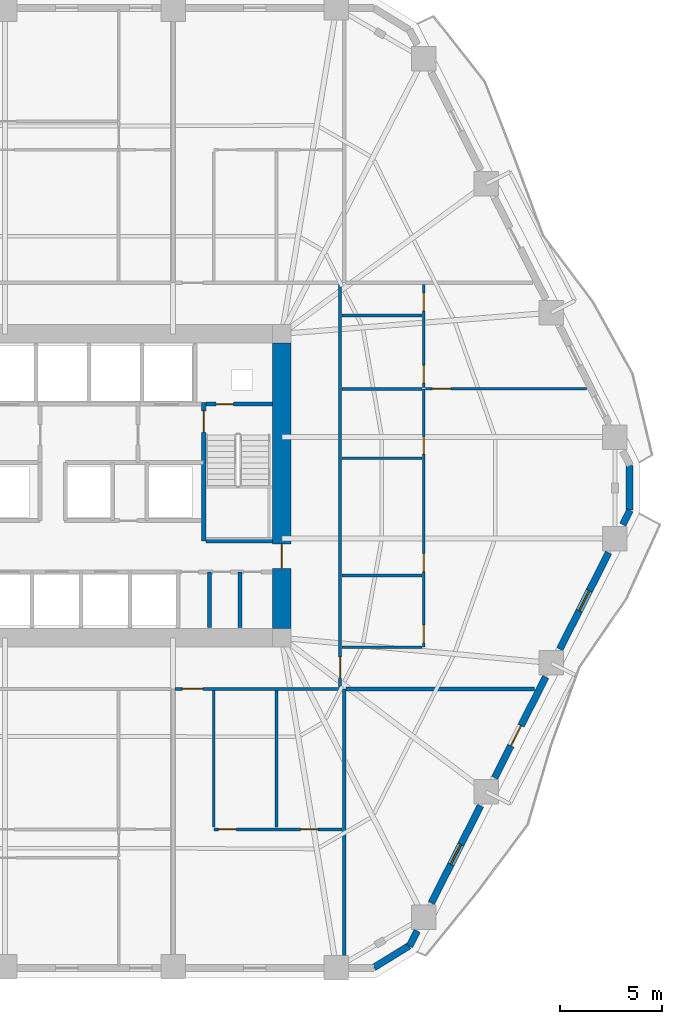
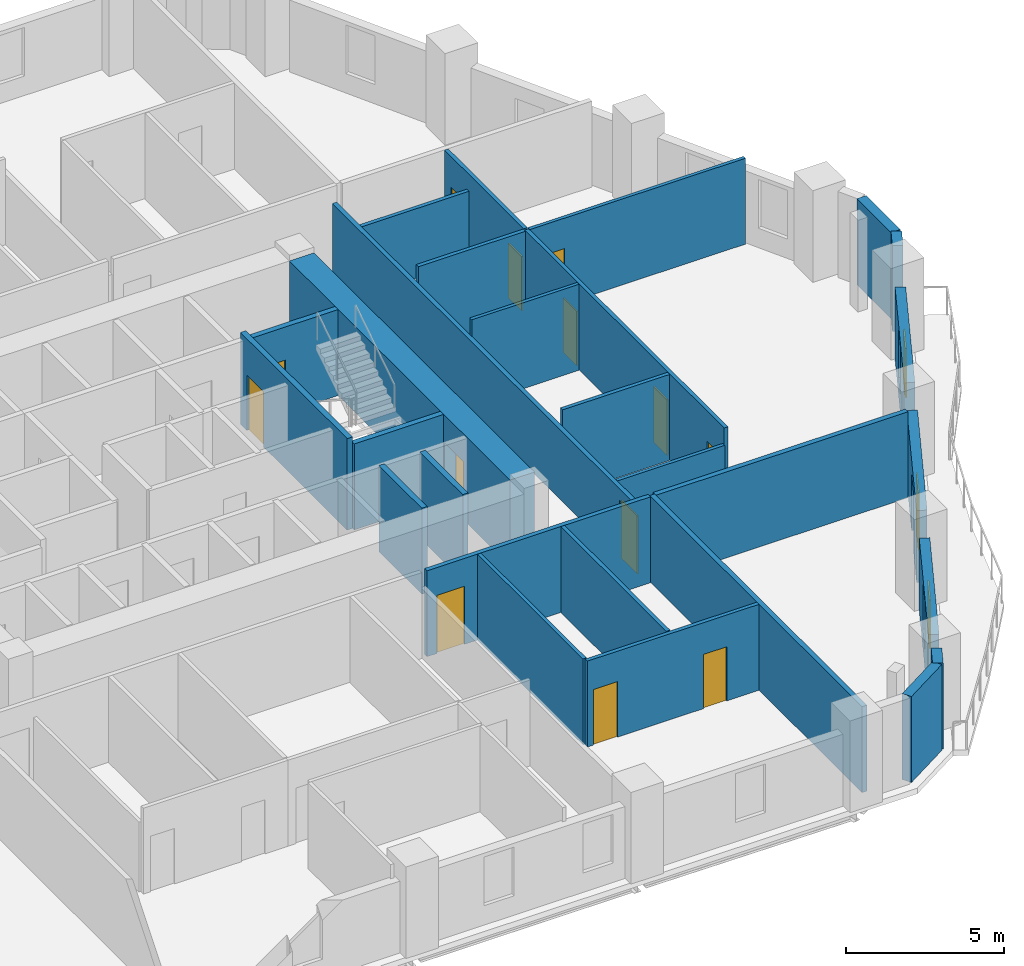
# One storey, part 6 of 11: 28 walls, 14 doors, 2 windows, 16 openings.
"""IFC4 building model written with IfcOpenShell, lengths in metres."""

from ifc_helpers import new_model, si_unit, direction, frame, frame_2d, origin, place, context, subcontext, project, spatial, rectangle, extrude, material, layer, layer_set, type_object, element, fill, save


model = new_model("IFC4")

# Units and contexts
model_context = context("Model", 3, precision=1e-05, world=origin(), true_north=direction((0.0, 1.0)))
body_context = subcontext(model_context, "Body", "Model", "MODEL_VIEW")
ifc_project = project(units=[si_unit("LENGTHUNIT", "METRE"), si_unit("AREAUNIT", "SQUARE_METRE"), si_unit("VOLUMEUNIT", "CUBIC_METRE"), si_unit("PLANEANGLEUNIT", "RADIAN"), si_unit("MASSUNIT", "GRAM", prefix="KILO")], contexts=[model_context])

# Site, building, storey
site_placement = place(None, origin())
site = spatial("IfcSite", under=ifc_project, at=site_placement, CompositionType="ELEMENT")
building_placement = place(site_placement, origin())
building = spatial("IfcBuilding", under=site, at=building_placement, Name="Cinnabar Lancet Tower", CompositionType="ELEMENT")
storey_placement = place(building_placement, frame((0.0, 0.0, 56.85009765625)))
storey = spatial("IfcBuildingStorey", under=building, at=storey_placement, Name="L14", CompositionType="ELEMENT", Elevation=56.85009765625)

# Wall, opening, door
ifc_material_1 = material(Name="Acoustic twin-stud gypsum partition", Category="gypsum")
ifc_layer_1 = layer(ifc_material_1, 0.159912109375)
ifc_layer_set_1 = layer_set([ifc_layer_1], Name="Acoustic twin-stud gypsum partition")
wall_type_1 = type_object("IfcWallType", Name="ARC-WL-CORR-160", PredefinedType="PARTITIONING", material=ifc_layer_set_1)
wall_1_placement = place(storey_placement, frame((36.616943359375, 15.949951171875, 0.0), z_axis=(0.0, 0.0, 1.0), x_axis=(1.0, 0.0, 0.0)))
wall_1 = element("IfcWall", 1, at=wall_1_placement, inside=storey, type_object=wall_type_1, Name="L14 Unit S02 Corridor Wall", PredefinedType="PARTITIONING", context=body_context, shape_type="SweptSolid", body=[
    extrude(rectangle(XDim=8.18798828125, YDim=0.159912109375, at=frame_2d((4.093994140625, 0.0))), origin(), (0.0, 0.0, 1.0), 3.329833984375),
])
opening_1_placement = place(wall_1_placement, frame((0.35498046875, 0.0, 0.0)))
opening_1 = element("IfcOpeningElement", 2, at=opening_1_placement, cuts=wall_1, Name="Opening UD-01", PredefinedType="OPENING", context=body_context, shape_type="SweptSolid", body=[
    extrude(rectangle(XDim=1.02001953125, YDim=2.25, at=frame_2d((0.510009765625, 1.125))), frame((0.0, 0.08984375, 0.0), z_axis=(0.0, -1.0, 0.0), x_axis=(1.0, 0.0, 0.0)), (0.0, 0.0, 1.0), 0.179931640625),
])
ifc_material_2 = material(Name="Solid timber fire-rated apartment entrance door", Category="wood")
door_type_1 = type_object("IfcDoorType", Name="ARC-DR-UNIT", OperationType="NOTDEFINED", PredefinedType="DOOR", material=ifc_material_2)
door_1_placement = place(opening_1_placement, origin())
door_1 = element("IfcDoor", 3, at=door_1_placement, inside=storey, type_object=door_type_1, Name="DR-L14-S02-ENT", OperationType="SINGLE_SWING_RIGHT", OverallHeight=2.25, OverallWidth=1.02001953125, PredefinedType="DOOR", context=body_context, shape_type="SweptSolid", body=[
    extrude(rectangle(XDim=1.02001953125, YDim=2.25, at=frame_2d((0.510009765625, 1.125))), frame((0.0, 0.02490234375, 0.0), z_axis=(0.0, -1.0, 0.0), x_axis=(1.0, 0.0, 0.0)), (0.0, 0.0, 1.0), 0.050048828125),
])
fill(opening_1, door_1)

wall_2_placement = place(storey_placement, frame((44.699951171875, 16.044921875, 0.0), z_axis=(0.0, 0.0, 1.0), x_axis=(0.0, 1.0, 0.0)))
wall_2 = element("IfcWall", 4, at=wall_2_placement, inside=storey, type_object=wall_type_1, Name="UW-L14-E01-COR", PredefinedType="PARTITIONING", context=body_context, shape_type="SweptSolid", body=[
    extrude(rectangle(XDim=19.7099609375, YDim=0.159912109375, at=frame_2d((9.85498046875, 0.0))), origin(), (0.0, 0.0, 1.0), 2.699951171875),
])
opening_2_placement = place(wall_2_placement, frame((0.449951171875, 0.0, 0.0)))
opening_2 = element("IfcOpeningElement", 5, at=opening_2_placement, cuts=wall_2, Name="Opening UD-01", PredefinedType="OPENING", context=body_context, shape_type="SweptSolid", body=[
    extrude(rectangle(XDim=1.02001953125, YDim=2.25, at=frame_2d((0.510009765625, 1.125))), frame((0.0, 0.08984375, 0.0), z_axis=(0.0, -1.0, 0.0), x_axis=(1.0, 0.0, 0.0)), (0.0, 0.0, 1.0), 0.179931640625),
])
door_2_placement = place(opening_2_placement, origin())
door_2 = element("IfcDoor", 6, at=door_2_placement, inside=storey, type_object=door_type_1, Name="DR-L14-E01-ENT", OperationType="SINGLE_SWING_RIGHT", OverallHeight=2.25, OverallWidth=1.02001953125, PredefinedType="DOOR", context=body_context, shape_type="SweptSolid", body=[
    extrude(rectangle(XDim=1.02001953125, YDim=2.25, at=frame_2d((0.510009765625, 1.125))), frame((0.0, 0.02490234375, 0.0), z_axis=(0.0, -1.0, 0.0), x_axis=(1.0, 0.0, 0.0)), (0.0, 0.0, 1.0), 0.050048828125),
])
fill(opening_2, door_2)

# Walls
ifc_material_3 = material(Name="Fire-rated twin-frame acoustic drywall", Category="gypsum")
ifc_layer_2 = layer(ifc_material_3, 0.179931640625)
ifc_layer_set_2 = layer_set([ifc_layer_2], Name="Fire-rated twin-frame acoustic drywall")
wall_type_2 = type_object("IfcWallType", Name="ARC-WL-PARTY-180", PredefinedType="PARTITIONING", material=ifc_layer_set_2)
wall_3_placement = place(storey_placement, frame((44.89990234375, 2.455078125, 0.0), z_axis=(0.0, 0.0, 1.0), x_axis=(0.0, 1.0, 0.0)))
element("IfcWall", 7, at=wall_3_placement, inside=storey, type_object=wall_type_2, Name="PW-L14-SPTY-449", PredefinedType="PARTITIONING", context=body_context, shape_type="SweptSolid", body=[
    extrude(rectangle(XDim=13.494873046875, YDim=0.179931640625, at=frame_2d((6.74755859375, 0.0))), origin(), (0.0, 0.0, 1.0), 3.329833984375),
])
wall_4_placement = place(storey_placement, frame((44.9951171875, 15.949951171875, 0.0), z_axis=(0.0, 0.0, 1.0), x_axis=(1.0, 0.0, 0.0)))
element("IfcWall", 8, at=wall_4_placement, inside=storey, type_object=wall_type_2, Name="PW-L14-ESB", PredefinedType="PARTITIONING", context=body_context, shape_type="SweptSolid", body=[
    extrude(rectangle(XDim=9.240966796875, YDim=0.179931640625, at=frame_2d((4.62060546875, 0.0))), origin(), (0.0, 0.0, 1.0), 3.329833984375),
])
ifc_material_4 = material(Name="Autoclaved aerated concrete blockwork", Category="masonry")
ifc_layer_3 = layer(ifc_material_4, 0.199951171875)
ifc_layer_set_3 = layer_set([ifc_layer_3], Name="Autoclaved aerated concrete blockwork")
wall_type_3 = type_object("IfcWallType", Name="ARC-WL-SHAFT-200", PredefinedType="PLUMBINGWALL", material=ifc_layer_set_3)
wall_5_placement = place(storey_placement, frame((38.125, 23.199951171875, 0.0), z_axis=(0.0, 0.0, 1.0), x_axis=(1.0, 0.0, 0.0)))
element("IfcWall", 9, at=wall_5_placement, inside=storey, type_object=wall_type_3, Name="CW-ST2S-L14", PredefinedType="PLUMBINGWALL", context=body_context, shape_type="SweptSolid", body=[
    extrude(rectangle(XDim=3.27001953125, YDim=0.199951171875, at=frame_2d((1.635009765625, 0.0))), origin(), (0.0, 0.0, 1.0), 3.329833984375),
])

# Wall, opening, door
wall_6_placement = place(storey_placement, frame((38.125, 29.89990234375, 0.0), z_axis=(0.0, 0.0, 1.0), x_axis=(1.0, 0.0, 0.0)))
wall_6 = element("IfcWall", 10, at=wall_6_placement, inside=storey, type_object=wall_type_3, Name="CW-NSH-E-L14", PredefinedType="PLUMBINGWALL", context=body_context, shape_type="SweptSolid", body=[
    extrude(rectangle(XDim=3.27001953125, YDim=0.199951171875, at=frame_2d((1.635009765625, 0.0))), origin(), (0.0, 0.0, 1.0), 3.329833984375),
])
opening_3_placement = place(wall_6_placement, frame((0.5, 0.0, 0.0)))
opening_3 = element("IfcOpeningElement", 11, at=opening_3_placement, cuts=wall_6, Name="Opening PD-02", PredefinedType="OPENING", context=body_context, shape_type="SweptSolid", body=[
    extrude(rectangle(XDim=0.85009765625, YDim=2.050048828125, at=frame_2d((0.425048828125, 1.02490234375))), frame((0.0, 0.10986328125, 0.0), z_axis=(0.0, -1.0, 0.0), x_axis=(1.0, 0.0, 0.0)), (0.0, 0.0, 1.0), 0.219970703125),
])
ifc_material_5 = material(Name="Fire-rated steel riser access door", Category="steel")
door_type_2 = type_object("IfcDoorType", Name="ARC-DR-RISER", OperationType="NOTDEFINED", PredefinedType="DOOR", material=ifc_material_5)
door_3_placement = place(opening_3_placement, origin())
door_3 = element("IfcDoor", 12, at=door_3_placement, inside=storey, type_object=door_type_2, Name="L14 East Riser Access Door", OperationType="SINGLE_SWING_RIGHT", OverallHeight=2.050048828125, OverallWidth=0.85009765625, PredefinedType="DOOR", context=body_context, shape_type="SweptSolid", body=[
    extrude(rectangle(XDim=0.85009765625, YDim=2.050048828125, at=frame_2d((0.425048828125, 1.02490234375))), frame((0.0, 0.02490234375, 0.0), z_axis=(0.0, -1.0, 0.0), x_axis=(1.0, 0.0, 0.0)), (0.0, 0.0, 1.0), 0.050048828125),
])
fill(opening_3, door_3)

# Walls
for number, where, z_axis, x_axis, name in (
    (13, (38.300048828125, 18.949951171875, 0.0), (0.0, 0.0, 1.0), (0.0, 1.0, 0.0), "CW-SBC2-383-L14"),
    (14, (39.800048828125, 18.949951171875, 0.0), (0.0, 0.0, 1.0), (0.0, 1.0, 0.0), "CW-SBC2-398-L14"),
):
    element("IfcWall", number, at=place(storey_placement, frame(where, z_axis=z_axis, x_axis=x_axis)), inside=storey, type_object=wall_type_3, Name=name, PredefinedType="PLUMBINGWALL", context=body_context, shape_type="SweptSolid", body=[
        extrude(rectangle(XDim=2.72998046875, YDim=0.199951171875, at=frame_2d((1.364990234375, 0.0))), origin(), (0.0, 0.0, 1.0), 3.329833984375),
    ])
ifc_material_6 = material(Name="Gypsum plasterboard stud partition", Category="gypsum")
ifc_layer_4 = layer(ifc_material_6, 0.125)
ifc_layer_set_4 = layer_set([ifc_layer_4], Name="Gypsum plasterboard stud partition")
wall_type_4 = type_object("IfcWallType", Name="ARC-WL-UNIT-125", PredefinedType="PARTITIONING", material=ifc_layer_set_4)
wall_7_placement = place(storey_placement, frame((38.52197265625, 9.173095703125, 0.0), z_axis=(0.0, 0.0, 1.0), x_axis=(0.0, 1.0, 0.0)))
element("IfcWall", 15, at=wall_7_placement, inside=storey, type_object=wall_type_4, Name="UW-L14-S02-FOYE", PredefinedType="PARTITIONING", context=body_context, shape_type="SweptSolid", body=[
    extrude(rectangle(XDim=6.69189453125, YDim=0.125, at=frame_2d((3.345947265625, 0.0))), origin(), (0.0, 0.0, 1.0), 3.329833984375),
])
wall_8_placement = place(storey_placement, frame((44.784912109375, 18.0, 0.0), z_axis=(0.0, 0.0, 1.0), x_axis=(1.0, 0.0, 0.0)))
element("IfcWall", 16, at=wall_8_placement, inside=storey, type_object=wall_type_4, Name="UW-L14-E01-FOYN", PredefinedType="PARTITIONING", context=body_context, shape_type="SweptSolid", body=[
    extrude(rectangle(XDim=3.93017578125, YDim=0.125, at=frame_2d((1.965087890625, 0.0))), origin(), (0.0, 0.0, 1.0), 2.699951171875),
])

# Wall, opening, door
wall_9_placement = place(storey_placement, frame((48.875, 30.64892578125, 0.0), z_axis=(0.0, 0.0, 1.0), x_axis=(1.0, 0.0, 0.0)))
wall_9 = element("IfcWall", 17, at=wall_9_placement, inside=storey, type_object=wall_type_4, Name="UW-L14-E01-MBN", PredefinedType="PARTITIONING", context=body_context, shape_type="SweptSolid", body=[
    extrude(rectangle(XDim=7.906982421875, YDim=0.125, at=frame_2d((3.95361328125, 0.0))), origin(), (0.0, 0.0, 1.0), 3.329833984375),
])
opening_4_placement = place(wall_9_placement, frame((0.35009765625, 0.0, 0.0)))
opening_4 = element("IfcOpeningElement", 18, at=opening_4_placement, cuts=wall_9, Name="Opening RD-01", PredefinedType="OPENING", context=body_context, shape_type="SweptSolid", body=[
    extrude(rectangle(XDim=0.919921875, YDim=2.14990234375, at=frame_2d((0.4599609375, 1.074951171875))), frame((0.0, 0.072509765625, 0.0), z_axis=(0.0, -1.0, 0.0), x_axis=(1.0, 0.0, 0.0)), (0.0, 0.0, 1.0), 0.14501953125),
])
ifc_material_7 = material(Name="Engineered timber bedroom door", Category="wood")
door_type_3 = type_object("IfcDoorType", Name="ARC-DR-ROOM", OperationType="NOTDEFINED", PredefinedType="DOOR", material=ifc_material_7)
door_4_placement = place(opening_4_placement, origin())
door_4 = element("IfcDoor", 19, at=door_4_placement, inside=storey, type_object=door_type_3, Name="DR-L14-E01-MBD", OperationType="SINGLE_SWING_RIGHT", OverallHeight=2.14990234375, OverallWidth=0.919921875, PredefinedType="DOOR", context=body_context, shape_type="SweptSolid", body=[
    extrude(rectangle(XDim=0.919921875, YDim=2.14990234375, at=frame_2d((0.4599609375, 1.074951171875))), frame((0.0, 0.02490234375, 0.0), z_axis=(0.0, -1.0, 0.0), x_axis=(1.0, 0.0, 0.0)), (0.0, 0.0, 1.0), 0.050048828125),
])
fill(opening_4, door_4)

# Wall
wall_10_placement = place(storey_placement, frame((44.784912109375, 27.2490234375, 0.0), z_axis=(0.0, 0.0, 1.0), x_axis=(1.0, 0.0, 0.0)))
element("IfcWall", 20, at=wall_10_placement, inside=storey, type_object=wall_type_4, Name="UW-L14-E01-UDV", PredefinedType="PARTITIONING", context=body_context, shape_type="SweptSolid", body=[
    extrude(rectangle(XDim=3.93017578125, YDim=0.125, at=frame_2d((1.965087890625, 0.0))), origin(), (0.0, 0.0, 1.0), 3.329833984375),
])

# Wall, openings, doors
ifc_material_8 = material(Name="Moisture-resistant cement-board plumbing wall", Category="masonry")
ifc_layer_5 = layer(ifc_material_8, 0.139892578125)
ifc_layer_set_5 = layer_set([ifc_layer_5], Name="Moisture-resistant cement-board plumbing wall")
wall_type_5 = type_object("IfcWallType", Name="ARC-WL-WET-140", PredefinedType="PLUMBINGWALL", material=ifc_layer_set_5)
wall_11_placement = place(storey_placement, frame((38.52197265625, 9.068115234375, 0.0), z_axis=(0.0, 0.0, 1.0), x_axis=(1.0, 0.0, 0.0)))
wall_11 = element("IfcWall", 21, at=wall_11_placement, inside=storey, type_object=wall_type_5, Name="UW-L14-S02-SPL", PredefinedType="PLUMBINGWALL", context=body_context, shape_type="SweptSolid", body=[
    extrude(rectangle(XDim=6.282958984375, YDim=0.139892578125, at=frame_2d((3.1416015625, 0.0))), origin(), (0.0, 0.0, 1.0), 3.329833984375),
])
opening_5_placement = place(wall_11_placement, frame((4.2470703125, 0.0, 0.0)))
opening_5 = element("IfcOpeningElement", 22, at=opening_5_placement, cuts=wall_11, Name="Opening BD-01", PredefinedType="OPENING", context=body_context, shape_type="SweptSolid", body=[
    extrude(rectangle(XDim=0.860107421875, YDim=2.10009765625, at=frame_2d((0.43017578125, 1.050048828125))), frame((0.0, 0.079833984375, 0.0), z_axis=(0.0, -1.0, 0.0), x_axis=(1.0, 0.0, 0.0)), (0.0, 0.0, 1.0), 0.159912109375),
])
opening_6_placement = place(wall_11_placement, frame((0.219970703125, 0.0, 0.0)))
opening_6 = element("IfcOpeningElement", 23, at=opening_6_placement, cuts=wall_11, Name="Opening RD-02", PredefinedType="OPENING", context=body_context, shape_type="SweptSolid", body=[
    extrude(rectangle(XDim=0.8798828125, YDim=2.14990234375, at=frame_2d((0.43994140625, 1.074951171875))), frame((0.0, 0.079833984375, 0.0), z_axis=(0.0, -1.0, 0.0), x_axis=(1.0, 0.0, 0.0)), (0.0, 0.0, 1.0), 0.159912109375),
])
ifc_material_9 = material(Name="Moisture-resistant timber bathroom door", Category="wood")
door_type_4 = type_object("IfcDoorType", Name="ARC-DR-BATH", OperationType="NOTDEFINED", PredefinedType="DOOR", material=ifc_material_9)
door_5_placement = place(opening_5_placement, origin())
door_5 = element("IfcDoor", 24, at=door_5_placement, inside=storey, type_object=door_type_4, Name="DR-L14-S02-BTH", OperationType="SINGLE_SWING_RIGHT", OverallHeight=2.10009765625, OverallWidth=0.860107421875, PredefinedType="DOOR", context=body_context, shape_type="SweptSolid", body=[
    extrude(rectangle(XDim=0.860107421875, YDim=2.10009765625, at=frame_2d((0.43017578125, 1.050048828125))), frame((0.0, 0.02490234375, 0.0), z_axis=(0.0, -1.0, 0.0), x_axis=(1.0, 0.0, 0.0)), (0.0, 0.0, 1.0), 0.050048828125),
])
fill(opening_5, door_5)
ifc_material_10 = material(Name="Engineered timber study door", Category="wood")
door_type_5 = type_object("IfcDoorType", Name="ARC-DR-STUDY", OperationType="NOTDEFINED", PredefinedType="DOOR", material=ifc_material_10)
door_6_placement = place(opening_6_placement, origin())
door_6 = element("IfcDoor", 25, at=door_6_placement, inside=storey, type_object=door_type_5, Name="DR-L14-S02-KIT", OperationType="SINGLE_SWING_LEFT", OverallHeight=2.14990234375, OverallWidth=0.8798828125, PredefinedType="DOOR", context=body_context, shape_type="SweptSolid", body=[
    extrude(rectangle(XDim=0.8798828125, YDim=2.14990234375, at=frame_2d((0.43994140625, 1.074951171875))), frame((0.0, 0.02490234375, 0.0), z_axis=(0.0, -1.0, 0.0), x_axis=(1.0, 0.0, 0.0)), (0.0, 0.0, 1.0), 0.050048828125),
])
fill(opening_6, door_6)

# Wall
wall_12_placement = place(storey_placement, frame((41.5830078125, 9.173095703125, 0.0), z_axis=(0.0, 0.0, 1.0), x_axis=(0.0, 1.0, 0.0)))
element("IfcWall", 26, at=wall_12_placement, inside=storey, type_object=wall_type_5, Name="UW-L14-S02-KDV", PredefinedType="PLUMBINGWALL", context=body_context, shape_type="SweptSolid", body=[
    extrude(rectangle(XDim=6.69189453125, YDim=0.139892578125, at=frame_2d((3.345947265625, 0.0))), origin(), (0.0, 0.0, 1.0), 3.329833984375),
])

# Wall, openings, doors
wall_13_placement = place(storey_placement, frame((48.800048828125, 18.0, 0.0), z_axis=(0.0, 0.0, 1.0), x_axis=(0.0, 1.0, 0.0)))
wall_13 = element("IfcWall", 27, at=wall_13_placement, inside=storey, type_object=wall_type_5, Name="UW-L14-E01-SPL", PredefinedType="PLUMBINGWALL", context=body_context, shape_type="SweptSolid", body=[
    extrude(rectangle(XDim=12.64892578125, YDim=0.139892578125, at=frame_2d((6.324462890625, 0.0))), origin(), (0.0, 0.0, 1.0), 3.329833984375),
])
opening_7_placement = place(wall_13_placement, frame((0.199951171875, 0.0, 0.0)))
opening_7 = element("IfcOpeningElement", 28, at=opening_7_placement, cuts=wall_13, Name="Opening RD-02", PredefinedType="OPENING", context=body_context, shape_type="SweptSolid", body=[
    extrude(rectangle(XDim=0.8798828125, YDim=2.14990234375, at=frame_2d((0.43994140625, 1.074951171875))), frame((0.0, 0.079833984375, 0.0), z_axis=(0.0, -1.0, 0.0), x_axis=(1.0, 0.0, 0.0)), (0.0, 0.0, 1.0), 0.159912109375),
])
opening_8_placement = place(wall_13_placement, frame((3.699951171875, 0.0, 0.0)))
opening_8 = element("IfcOpeningElement", 29, at=opening_8_placement, cuts=wall_13, Name="Opening RD-02", PredefinedType="OPENING", context=body_context, shape_type="SweptSolid", body=[
    extrude(rectangle(XDim=0.8798828125, YDim=2.14990234375, at=frame_2d((0.43994140625, 1.074951171875))), frame((0.0, 0.079833984375, 0.0), z_axis=(0.0, -1.0, 0.0), x_axis=(1.0, 0.0, 0.0)), (0.0, 0.0, 1.0), 0.159912109375),
])
opening_9_placement = place(wall_13_placement, frame((9.448974609375, 0.0, 0.0)))
opening_9 = element("IfcOpeningElement", 30, at=opening_9_placement, cuts=wall_13, Name="Opening BD-01", PredefinedType="OPENING", context=body_context, shape_type="SweptSolid", body=[
    extrude(rectangle(XDim=0.860107421875, YDim=2.10009765625, at=frame_2d((0.43017578125, 1.050048828125))), frame((0.0, 0.079833984375, 0.0), z_axis=(0.0, -1.0, 0.0), x_axis=(1.0, 0.0, 0.0)), (0.0, 0.0, 1.0), 0.159912109375),
])
door_7_placement = place(opening_9_placement, origin())
door_7 = element("IfcDoor", 31, at=door_7_placement, inside=storey, type_object=door_type_4, Name="DR-L14-E01-BTH", OperationType="SINGLE_SWING_LEFT", OverallHeight=2.10009765625, OverallWidth=0.860107421875, PredefinedType="DOOR", context=body_context, shape_type="SweptSolid", body=[
    extrude(rectangle(XDim=0.860107421875, YDim=2.10009765625, at=frame_2d((0.43017578125, 1.050048828125))), frame((0.0, 0.02490234375, 0.0), z_axis=(0.0, -1.0, 0.0), x_axis=(1.0, 0.0, 0.0)), (0.0, 0.0, 1.0), 0.050048828125),
])
fill(opening_9, door_7)
door_8_placement = place(opening_7_placement, origin())
door_8 = element("IfcDoor", 32, at=door_8_placement, inside=storey, type_object=door_type_5, Name="DR-L14-E01-KIT", OperationType="SINGLE_SWING_LEFT", OverallHeight=2.14990234375, OverallWidth=0.8798828125, PredefinedType="DOOR", context=body_context, shape_type="SweptSolid", body=[
    extrude(rectangle(XDim=0.8798828125, YDim=2.14990234375, at=frame_2d((0.43994140625, 1.074951171875))), frame((0.0, 0.02490234375, 0.0), z_axis=(0.0, -1.0, 0.0), x_axis=(1.0, 0.0, 0.0)), (0.0, 0.0, 1.0), 0.050048828125),
])
fill(opening_7, door_8)
door_9_placement = place(opening_8_placement, origin())
door_9 = element("IfcDoor", 33, at=door_9_placement, inside=storey, type_object=door_type_5, Name="DR-L14-E01-UTL", OperationType="SINGLE_SWING_RIGHT", OverallHeight=2.14990234375, OverallWidth=0.8798828125, PredefinedType="DOOR", context=body_context, shape_type="SweptSolid", body=[
    extrude(rectangle(XDim=0.8798828125, YDim=2.14990234375, at=frame_2d((0.43994140625, 1.074951171875))), frame((0.0, 0.02490234375, 0.0), z_axis=(0.0, -1.0, 0.0), x_axis=(1.0, 0.0, 0.0)), (0.0, 0.0, 1.0), 0.050048828125),
])
fill(opening_8, door_9)

wall_14_placement = place(storey_placement, frame((48.800048828125, 30.718994140625, 0.0), z_axis=(0.0, 0.0, 1.0), x_axis=(0.0, 1.0, 0.0)))
wall_14 = element("IfcWall", 34, at=wall_14_placement, inside=storey, type_object=wall_type_5, Name="UW-L14-E01-SPM", PredefinedType="PLUMBINGWALL", context=body_context, shape_type="SweptSolid", body=[
    extrude(rectangle(XDim=5.035888671875, YDim=0.139892578125, at=frame_2d((2.51806640625, 0.0))), origin(), (0.0, 0.0, 1.0), 3.329833984375),
])
opening_10_placement = place(wall_14_placement, frame((0.219970703125, 0.0, 0.0)))
opening_10 = element("IfcOpeningElement", 35, at=opening_10_placement, cuts=wall_14, Name="Opening BD-01", PredefinedType="OPENING", context=body_context, shape_type="SweptSolid", body=[
    extrude(rectangle(XDim=0.860107421875, YDim=2.10009765625, at=frame_2d((0.43017578125, 1.050048828125))), frame((0.0, 0.079833984375, 0.0), z_axis=(0.0, -1.0, 0.0), x_axis=(1.0, 0.0, 0.0)), (0.0, 0.0, 1.0), 0.159912109375),
])
opening_11_placement = place(wall_14_placement, frame((3.739990234375, 0.0, 0.0)))
opening_11 = element("IfcOpeningElement", 36, at=opening_11_placement, cuts=wall_14, Name="Opening RD-02", PredefinedType="OPENING", context=body_context, shape_type="SweptSolid", body=[
    extrude(rectangle(XDim=0.8798828125, YDim=2.14990234375, at=frame_2d((0.43994140625, 1.074951171875))), frame((0.0, 0.079833984375, 0.0), z_axis=(0.0, -1.0, 0.0), x_axis=(1.0, 0.0, 0.0)), (0.0, 0.0, 1.0), 0.159912109375),
])
door_10_placement = place(opening_10_placement, origin())
door_10 = element("IfcDoor", 37, at=door_10_placement, inside=storey, type_object=door_type_4, Name="DR-L14-E01-ENS", OperationType="SINGLE_SWING_RIGHT", OverallHeight=2.10009765625, OverallWidth=0.860107421875, PredefinedType="DOOR", context=body_context, shape_type="SweptSolid", body=[
    extrude(rectangle(XDim=0.860107421875, YDim=2.10009765625, at=frame_2d((0.43017578125, 1.050048828125))), frame((0.0, 0.02490234375, 0.0), z_axis=(0.0, -1.0, 0.0), x_axis=(1.0, 0.0, 0.0)), (0.0, 0.0, 1.0), 0.050048828125),
])
fill(opening_10, door_10)
door_11_placement = place(opening_11_placement, origin())
door_11 = element("IfcDoor", 38, at=door_11_placement, inside=storey, type_object=door_type_5, Name="DR-L14-E01-EWDR", OperationType="SINGLE_SWING_LEFT", OverallHeight=2.14990234375, OverallWidth=0.8798828125, PredefinedType="DOOR", context=body_context, shape_type="SweptSolid", body=[
    extrude(rectangle(XDim=0.8798828125, YDim=2.14990234375, at=frame_2d((0.43994140625, 1.074951171875))), frame((0.0, 0.02490234375, 0.0), z_axis=(0.0, -1.0, 0.0), x_axis=(1.0, 0.0, 0.0)), (0.0, 0.0, 1.0), 0.050048828125),
])
fill(opening_11, door_11)

# Walls
for number, where, z_axis, x_axis, name in (
    (39, (44.784912109375, 30.64892578125, 0.0), (0.0, 0.0, 1.0), (1.0, 0.0, 0.0), "UW-L14-E01-ENSN"),
    (40, (44.784912109375, 21.5, 0.0), (0.0, 0.0, 1.0), (1.0, 0.0, 0.0), "UW-L14-E01-KDV"),
):
    element("IfcWall", number, at=place(storey_placement, frame(where, z_axis=z_axis, x_axis=x_axis)), inside=storey, type_object=wall_type_5, Name=name, PredefinedType="PLUMBINGWALL", context=body_context, shape_type="SweptSolid", body=[
        extrude(rectangle(XDim=3.93017578125, YDim=0.139892578125, at=frame_2d((1.965087890625, 0.0))), origin(), (0.0, 0.0, 1.0), 3.329833984375),
    ])
wall_15_placement = place(storey_placement, frame((44.784912109375, 34.239013671875, 0.0), z_axis=(0.0, 0.0, 1.0), x_axis=(1.0, 0.0, 0.0)))
element("IfcWall", 41, at=wall_15_placement, inside=storey, type_object=wall_type_5, Name="UW-L14-E01-EWDV", PredefinedType="PLUMBINGWALL", context=body_context, shape_type="SweptSolid", body=[
    extrude(rectangle(XDim=3.93017578125, YDim=0.139892578125, at=frame_2d((1.965087890625, 0.0))), origin(), (0.0, 0.0, 1.0), 2.699951171875),
])
ifc_material_11 = material(Name="Cinnabar red clay brick", Category="masonry")
ifc_layer_6 = layer(ifc_material_11, 0.340087890625)
ifc_layer_set_6 = layer_set([ifc_layer_6], Name="Cinnabar red clay brick")
wall_type_6 = type_object("IfcWallType", Name="ENV-WL-BRK-RED-340", PredefinedType="STANDARD", material=ifc_layer_set_6)
wall_16_placement = place(storey_placement, frame((46.361083984375, 2.304931640625, 0.0), z_axis=(0.0, 0.0, 1.0), x_axis=(0.851816122478, 0.523840904748, 0.0)))
element("IfcWall", 42, at=wall_16_placement, inside=storey, type_object=wall_type_6, Name="L14 Chamfered Corner Brick Pier 2.1", PredefinedType="STANDARD", context=body_context, shape_type="SweptSolid", body=[
    extrude(rectangle(XDim=2.01806640625, YDim=0.340087890625, at=frame_2d((1.009033203125, 0.0))), origin(), (0.0, 0.0, 1.0), 3.329833984375),
])
wall_17_placement = place(storey_placement, frame((58.887939453125, 24.714111328125, 0.0), z_axis=(0.0, 0.0, 1.0), x_axis=(0.0, 1.0, 0.0)))
element("IfcWall", 43, at=wall_17_placement, inside=storey, type_object=wall_type_6, Name="L14 Chamfered Corner Brick Pier 3.1", PredefinedType="STANDARD", context=body_context, shape_type="SweptSolid", body=[
    extrude(rectangle(XDim=2.171875, YDim=0.340087890625, at=frame_2d((1.0859375, 0.0))), origin(), (0.0, 0.0, 1.0), 3.329833984375),
])
wall_18_placement = place(storey_placement, frame((48.10009765625, 3.345947265625, 0.0), z_axis=(0.0, 0.0, 1.0), x_axis=(0.45187807258, 0.892079709175, 0.0)))
element("IfcWall", 44, at=wall_18_placement, inside=storey, type_object=wall_type_6, Name="L14 Face 2 Masonry Bay Wall 1", PredefinedType="STANDARD", context=body_context, shape_type="SweptSolid", body=[
    extrude(rectangle(XDim=0.83642578125, YDim=0.340087890625, at=frame_2d((0.418212890625, 0.0))), origin(), (0.0, 0.0, 1.0), 3.329833984375),
])

# Wall, opening, window
wall_19_placement = place(storey_placement, frame((49.166015625, 5.4541015625, 0.0), z_axis=(0.0, 0.0, 1.0), x_axis=(0.451697561555, 0.892171123095, 0.0)))
wall_19 = element("IfcWall", 45, at=wall_19_placement, inside=storey, type_object=wall_type_6, Name="L14 Face 2 Masonry Bay Wall 2", PredefinedType="STANDARD", context=body_context, shape_type="SweptSolid", body=[
    extrude(rectangle(XDim=5.350830078125, YDim=0.340087890625, at=frame_2d((2.67529296875, 0.0))), origin(), (0.0, 0.0, 1.0), 2.786865234375),
])
opening_12_placement = place(wall_19_placement, frame((2.125, 0.0, 0.75)))
opening_12 = element("IfcOpeningElement", 46, at=opening_12_placement, cuts=wall_19, Name="Opening WN-04", PredefinedType="OPENING", context=body_context, shape_type="SweptSolid", body=[
    extrude(rectangle(XDim=1.10009765625, YDim=1.886962890625, at=frame_2d((0.550048828125, 0.943359375))), frame((0.0, 0.179931640625, 0.0), z_axis=(0.0, -1.0, 0.0), x_axis=(1.0, 0.0, 0.0)), (0.0, 0.0, 1.0), 0.360107421875),
])
ifc_material_12 = material(Name="Thermally broken bronze-anodized aluminium tall lancet window", Category="aluminium")
window_type = type_object("IfcWindowType", Name="ENV-WN-LANCET-1100", PartitioningType="SINGLE_PANEL", PredefinedType="WINDOW", material=ifc_material_12)
window_1_placement = place(opening_12_placement, origin())
window_1 = element("IfcWindow", 47, at=window_1_placement, inside=storey, type_object=window_type, Name="L14 Face 2 Gothic Lancet Window 2", OverallHeight=1.886962890625, OverallWidth=1.10009765625, PartitioningType="SINGLE_PANEL", PredefinedType="WINDOW", context=body_context, shape_type="SweptSolid", body=[
    extrude(rectangle(XDim=1.10009765625, YDim=1.886962890625, at=frame_2d((0.550048828125, 0.943359375))), frame((0.0, 0.030029296875, 0.0), z_axis=(0.0, -1.0, 0.0), x_axis=(1.0, 0.0, 0.0)), (0.0, 0.0, 1.0), 0.06005859375),
])
fill(opening_12, window_1)

# Wall, opening, door
wall_20_placement = place(storey_placement, frame((52.27099609375, 11.590087890625, 0.0), z_axis=(0.0, 0.0, 1.0), x_axis=(0.451592100298, 0.892224509273, 0.0)))
wall_20 = element("IfcWall", 48, at=wall_20_placement, inside=storey, type_object=wall_type_6, Name="L14 Face 2 Masonry Bay Wall 3", PredefinedType="STANDARD", context=body_context, shape_type="SweptSolid", body=[
    extrude(rectangle(XDim=5.546875, YDim=0.340087890625, at=frame_2d((2.7734375, 0.0))), origin(), (0.0, 0.0, 1.0), 2.786865234375),
])
opening_13_placement = place(wall_20_placement, frame((1.76806640625, 0.0, 0.0)))
opening_13 = element("IfcOpeningElement", 49, at=opening_13_placement, cuts=wall_20, Name="Opening TD-01", PredefinedType="OPENING", context=body_context, shape_type="SweptSolid", body=[
    extrude(rectangle(XDim=1.10009765625, YDim=2.25, at=frame_2d((0.550048828125, 1.125))), frame((0.0, 0.179931640625, 0.0), z_axis=(0.0, -1.0, 0.0), x_axis=(1.0, 0.0, 0.0)), (0.0, 0.0, 1.0), 0.360107421875),
])
ifc_material_13 = material(Name="Thermally broken low-E glazed balcony terrace door", Category="wood")
door_type_6 = type_object("IfcDoorType", Name="ARC-DR-BALC", OperationType="NOTDEFINED", PredefinedType="DOOR", material=ifc_material_13)
door_12_placement = place(opening_13_placement, origin())
door_12 = element("IfcDoor", 50, at=door_12_placement, inside=storey, type_object=door_type_6, Name="L14 Face 2 Glazed Terrace Door", OperationType="SINGLE_SWING_LEFT", OverallHeight=2.25, OverallWidth=1.10009765625, PredefinedType="DOOR", context=body_context, shape_type="SweptSolid", body=[
    extrude(rectangle(XDim=1.10009765625, YDim=2.25, at=frame_2d((0.550048828125, 1.125))), frame((0.0, 0.02490234375, 0.0), z_axis=(0.0, -1.0, 0.0), x_axis=(1.0, 0.0, 0.0)), (0.0, 0.0, 1.0), 0.050048828125),
])
fill(opening_13, door_12)

# Wall, opening, window
wall_21_placement = place(storey_placement, frame((55.465087890625, 17.90087890625, 0.0), z_axis=(0.0, 0.0, 1.0), x_axis=(0.451572088722, 0.892234637686, 0.0)))
wall_21 = element("IfcWall", 51, at=wall_21_placement, inside=storey, type_object=wall_type_6, Name="L14 Face 2 Masonry Bay Wall 4", PredefinedType="STANDARD", context=body_context, shape_type="SweptSolid", body=[
    extrude(rectangle(XDim=5.3037109375, YDim=0.340087890625, at=frame_2d((2.65185546875, 0.0))), origin(), (0.0, 0.0, 1.0), 2.786865234375),
])
opening_14_placement = place(wall_21_placement, frame((2.10205078125, 0.0, 0.75)))
opening_14 = element("IfcOpeningElement", 52, at=opening_14_placement, cuts=wall_21, Name="Opening WN-04", PredefinedType="OPENING", context=body_context, shape_type="SweptSolid", body=[
    extrude(rectangle(XDim=1.10009765625, YDim=1.886962890625, at=frame_2d((0.550048828125, 0.943359375))), frame((0.0, 0.179931640625, 0.0), z_axis=(0.0, -1.0, 0.0), x_axis=(1.0, 0.0, 0.0)), (0.0, 0.0, 1.0), 0.360107421875),
])
window_2_placement = place(opening_14_placement, origin())
window_2 = element("IfcWindow", 53, at=window_2_placement, inside=storey, type_object=window_type, Name="L14 Face 2 Gothic Lancet Window 4", OverallHeight=1.886962890625, OverallWidth=1.10009765625, PartitioningType="SINGLE_PANEL", PredefinedType="WINDOW", context=body_context, shape_type="SweptSolid", body=[
    extrude(rectangle(XDim=1.10009765625, YDim=1.886962890625, at=frame_2d((0.550048828125, 0.943359375))), frame((0.0, 0.030029296875, 0.0), z_axis=(0.0, -1.0, 0.0), x_axis=(1.0, 0.0, 0.0)), (0.0, 0.0, 1.0), 0.06005859375),
])
fill(opening_14, window_2)

# Wall
wall_22_placement = place(storey_placement, frame((58.548095703125, 23.9951171875, 0.0), z_axis=(0.0, 0.0, 1.0), x_axis=(0.452101093511, 0.891966704113, 0.0)))
element("IfcWall", 54, at=wall_22_placement, inside=storey, type_object=wall_type_6, Name="L14 Face 2 Masonry Bay Wall 5", PredefinedType="STANDARD", context=body_context, shape_type="SweptSolid", body=[
    extrude(rectangle(XDim=0.798095703125, YDim=0.340087890625, at=frame_2d((0.39892578125, 0.0))), origin(), (0.0, 0.0, 1.0), 3.329833984375),
])

# Wall, opening, door
ifc_material_14 = material(Name="Concrete C80/95", Category="concrete")
ifc_layer_7 = layer(ifc_material_14, 0.89990234375)
ifc_layer_set_7 = layer_set([ifc_layer_7], Name="Concrete C80/95")
wall_type_7 = type_object("IfcWallType", Name="STR-WL-CORE-900", PredefinedType="SHEAR", material=ifc_layer_set_7)
wall_23_placement = place(storey_placement, frame((41.85009765625, 18.89990234375, 0.0), z_axis=(0.0, 0.0, 1.0), x_axis=(0.0, 1.0, 0.0)))
wall_23 = element("IfcWall", 55, at=wall_23_placement, inside=storey, type_object=wall_type_7, Name="L14 Core Shear Wall E", PredefinedType="SHEAR", context=body_context, shape_type="SweptSolid", body=[
    extrude(rectangle(XDim=14.0, YDim=0.89990234375, at=frame_2d((7.0, 0.0))), origin(), (0.0, 0.0, 1.0), 3.329833984375),
])
opening_15_placement = place(wall_23_placement, frame((2.93994140625, 0.0, 0.0)))
opening_15 = element("IfcOpeningElement", 56, at=opening_15_placement, cuts=wall_23, Name="Opening FD-02", PredefinedType="OPENING", context=body_context, shape_type="SweptSolid", body=[
    extrude(rectangle(XDim=1.219970703125, YDim=2.25, at=frame_2d((0.60986328125, 1.125))), frame((0.0, 0.4599609375, 0.0), z_axis=(0.0, -1.0, 0.0), x_axis=(1.0, 0.0, 0.0)), (0.0, 0.0, 1.0), 0.919921875),
])
ifc_material_15 = material(Name="Fire-rated double-vision core portal door", Category="wood")
door_type_7 = type_object("IfcDoorType", Name="ARC-DR-CPORT", OperationType="NOTDEFINED", PredefinedType="DOOR", material=ifc_material_15)
door_13_placement = place(opening_15_placement, origin())
door_13 = element("IfcDoor", 57, at=door_13_placement, inside=storey, type_object=door_type_7, Name="L14 East Core Lobby Fire Door", OperationType="SINGLE_SWING_LEFT", OverallHeight=2.25, OverallWidth=1.219970703125, PredefinedType="DOOR", context=body_context, shape_type="SweptSolid", body=[
    extrude(rectangle(XDim=1.219970703125, YDim=2.25, at=frame_2d((0.60986328125, 1.125))), frame((0.0, 0.02490234375, 0.0), z_axis=(0.0, -1.0, 0.0), x_axis=(1.0, 0.0, 0.0)), (0.0, 0.0, 1.0), 0.050048828125),
])
fill(opening_15, door_13)

ifc_material_16 = material(Name="Concrete C50/60", Category="concrete")
ifc_layer_8 = layer(ifc_material_16, 0.199951171875)
ifc_layer_set_8 = layer_set([ifc_layer_8], Name="Concrete C50/60")
wall_type_8 = type_object("IfcWallType", Name="STR-WL-STAIR-200", PredefinedType="SHEAR", material=ifc_layer_set_8)
wall_24_placement = place(storey_placement, frame((38.02001953125, 23.199951171875, 0.0), z_axis=(0.0, 0.0, 1.0), x_axis=(0.0, 1.0, 0.0)))
wall_24 = element("IfcWall", 58, at=wall_24_placement, inside=storey, type_object=wall_type_8, Name="L14 Stair ST-2 Structural Enclosure Wall", PredefinedType="SHEAR", context=body_context, shape_type="SweptSolid", body=[
    extrude(rectangle(XDim=6.780029296875, YDim=0.199951171875, at=frame_2d((3.39013671875, 0.0))), origin(), (0.0, 0.0, 1.0), 3.5498046875),
])
opening_16_placement = place(wall_24_placement, frame((5.320068359375, 0.0, 0.0)))
opening_16 = element("IfcOpeningElement", 59, at=opening_16_placement, cuts=wall_24, Name="Opening SD-01", PredefinedType="OPENING", context=body_context, shape_type="SweptSolid", body=[
    extrude(rectangle(XDim=1.050048828125, YDim=2.14990234375, at=frame_2d((0.52490234375, 1.074951171875))), frame((0.0, 0.10986328125, 0.0), z_axis=(0.0, -1.0, 0.0), x_axis=(1.0, 0.0, 0.0)), (0.0, 0.0, 1.0), 0.219970703125),
])
ifc_material_17 = material(Name="Fire-rated steel stair exit door", Category="steel")
door_type_8 = type_object("IfcDoorType", Name="ARC-DR-STAIR", OperationType="NOTDEFINED", PredefinedType="DOOR", material=ifc_material_17)
door_14_placement = place(opening_16_placement, origin())
door_14 = element("IfcDoor", 60, at=door_14_placement, inside=storey, type_object=door_type_8, Name="L14 Stair ST-2 Fire Door", OperationType="SINGLE_SWING_RIGHT", OverallHeight=2.14990234375, OverallWidth=1.050048828125, PredefinedType="DOOR", context=body_context, shape_type="SweptSolid", body=[
    extrude(rectangle(XDim=1.050048828125, YDim=2.14990234375, at=frame_2d((0.52490234375, 1.074951171875))), frame((0.0, 0.02490234375, 0.0), z_axis=(0.0, -1.0, 0.0), x_axis=(1.0, 0.0, 0.0)), (0.0, 0.0, 1.0), 0.050048828125),
])
fill(opening_16, door_14)

save(model, "model.ifc")
